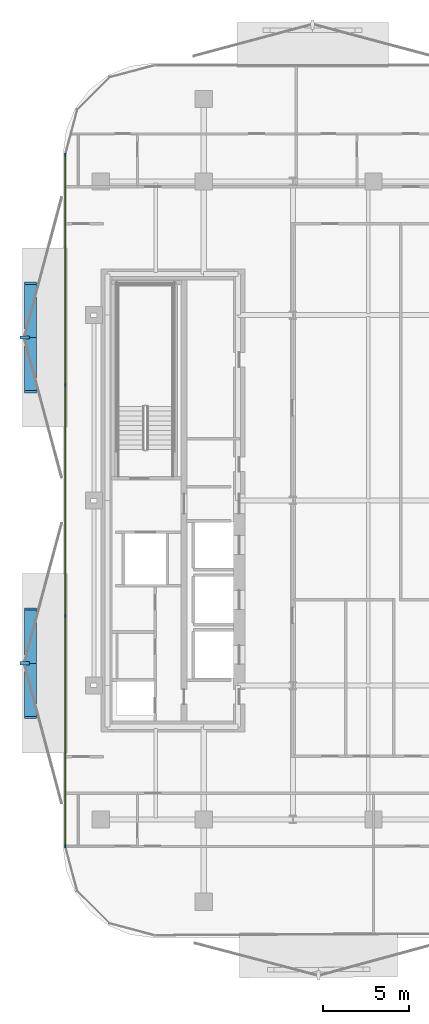
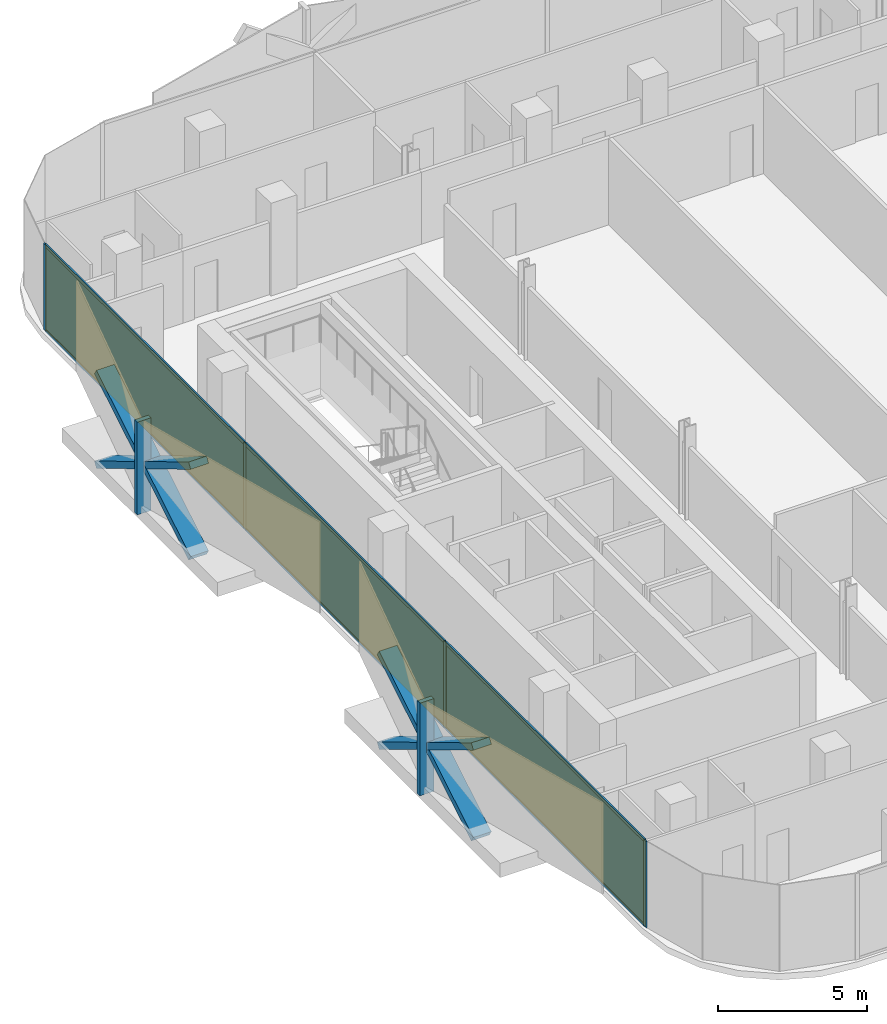
# One storey, part 9 of 16: 16 members, 3 plates, 1 curtain wall.
"""IFC4 building model written with IfcOpenShell, lengths in metres."""

from ifc_helpers import new_model, si_unit, direction, frame, frame_2d, origin, origin_2d, place, context, subcontext, project, spatial, rectangle, extrude, material, layer, layer_set, material_profile, profile_set, type_object, element, aggregate, save


model = new_model("IFC4")

# Units and contexts
model_context = context("Model", 3, precision=1e-05, world=origin(), true_north=direction((0.0, 1.0)))
body_context = subcontext(model_context, "Body", "Model", "MODEL_VIEW")
ifc_project = project(units=[si_unit("LENGTHUNIT", "METRE"), si_unit("AREAUNIT", "SQUARE_METRE"), si_unit("VOLUMEUNIT", "CUBIC_METRE"), si_unit("PLANEANGLEUNIT", "RADIAN"), si_unit("MASSUNIT", "GRAM", prefix="KILO")], contexts=[model_context])

# Member
ifc_material_1 = material(Name="Anodised Bronze Aluminium 6063-T6", Category="aluminium")
ifc_material_profile_1 = material_profile(ifc_material_1, rectangle(XDim=0.260009765625, YDim=0.699951171875, at=origin_2d()))
ifc_profile_set_1 = profile_set([ifc_material_profile_1], Name="Anodised Bronze Aluminium 6063-T6")
member_type_1 = type_object("IfcMemberType", Name="Bronze Diamond Solar-Screen Lattice Rib BDL-700", PredefinedType="MULLION", material=ifc_profile_set_1)
site_placement = place(None, origin())
building_placement = place(site_placement, origin())
storey_placement = place(building_placement, frame((0.0, 0.0, 187.800048828125)))
member_1_placement = place(storey_placement, frame((-24.5, -12.660400390625, -0.130126953125), z_axis=(0.0, 0.85737327611, 0.514695118893), x_axis=(0.0, -0.514695118893, 0.85737327611)))
member_1 = element("IfcMember", 1, at=member_1_placement, type_object=member_type_1, Name="L43 Bronze Diamond Solar Screen Lattice Rib 283A", PredefinedType="MULLION", context=body_context, shape_type="SweptSolid", body=[
    extrude(rectangle(XDim=0.260009765625, YDim=0.699951171875, at=origin_2d()), origin(), (0.0, 0.0, 1.0), 7.383056640625),
])

member_2_placement = place(storey_placement, frame((-24.5, -6.330322265625, -0.130126953125), z_axis=(0.0, -0.85737327611, 0.514695118893), x_axis=(0.0, 0.514695118893, 0.85737327611)))
member_2 = element("IfcMember", 2, at=member_2_placement, type_object=member_type_1, Name="L43 Bronze Diamond Solar Screen Lattice Rib 283B", PredefinedType="MULLION", context=body_context, shape_type="SweptSolid", body=[
    extrude(rectangle(XDim=0.260009765625, YDim=0.699951171875, at=origin_2d()), origin(), (0.0, 0.0, 1.0), 7.383056640625),
])

member_3_placement = place(storey_placement, frame((-24.5, 6.330322265625, -0.130126953125), z_axis=(0.0, 0.85737327611, 0.514695118893), x_axis=(0.0, -0.514695118893, 0.85737327611)))
member_3 = element("IfcMember", 3, at=member_3_placement, type_object=member_type_1, Name="L43 Bronze Diamond Solar Screen Lattice Rib 284A", PredefinedType="MULLION", context=body_context, shape_type="SweptSolid", body=[
    extrude(rectangle(XDim=0.260009765625, YDim=0.699951171875, at=origin_2d()), origin(), (0.0, 0.0, 1.0), 7.383056640625),
])

member_4_placement = place(storey_placement, frame((-24.5, 12.660400390625, -0.130126953125), z_axis=(0.0, -0.85737327611, 0.514695118893), x_axis=(0.0, 0.514695118893, 0.85737327611)))
member_4 = element("IfcMember", 4, at=member_4_placement, type_object=member_type_1, Name="L43 Bronze Diamond Solar Screen Lattice Rib 284B", PredefinedType="MULLION", context=body_context, shape_type="SweptSolid", body=[
    extrude(rectangle(XDim=0.260009765625, YDim=0.699951171875, at=origin_2d()), origin(), (0.0, 0.0, 1.0), 7.383056640625),
])

ifc_material_2 = material(Name="Anodised Bronze Aluminium 6063-T6", Category="aluminium")
ifc_material_profile_2 = material_profile(ifc_material_2, rectangle(XDim=0.179931640625, YDim=0.5400390625, at=origin_2d()))
ifc_profile_set_2 = profile_set([ifc_material_profile_2], Name="Anodised Bronze Aluminium 6063-T6")
member_type_2 = type_object("IfcMemberType", Name="Bronze Solar-Screen Vertical Fold Fin BSF-540", PredefinedType="MULLION", material=ifc_profile_set_2)
member_5_placement = place(storey_placement, frame((-24.840087890625, -9.495361328125, -0.130126953125), z_axis=(0.0, 0.0, 1.0), x_axis=(0.0, 1.0, 0.0)))
member_5 = element("IfcMember", 5, at=member_5_placement, type_object=member_type_2, Name="L43 Bronze Solar Screen Vertical Fin 283", PredefinedType="MULLION", context=body_context, shape_type="SweptSolid", body=[
    extrude(rectangle(XDim=0.179931640625, YDim=0.5400390625, at=origin_2d()), origin(), (0.0, 0.0, 1.0), 3.800048828125),
])

member_6_placement = place(storey_placement, frame((-24.840087890625, 9.495361328125, -0.130126953125), z_axis=(0.0, 0.0, 1.0), x_axis=(0.0, 1.0, 0.0)))
member_6 = element("IfcMember", 6, at=member_6_placement, type_object=member_type_2, Name="L43 Bronze Solar Screen Vertical Fin 284", PredefinedType="MULLION", context=body_context, shape_type="SweptSolid", body=[
    extrude(rectangle(XDim=0.179931640625, YDim=0.5400390625, at=origin_2d()), origin(), (0.0, 0.0, 1.0), 3.800048828125),
])

ifc_material_3 = material(Name="Anodised Bronze Aluminium 6063-T6", Category="aluminium")
ifc_material_profile_3 = material_profile(ifc_material_3, rectangle(XDim=0.06005859375, YDim=0.1650390625, at=origin_2d()))
ifc_profile_set_3 = profile_set([ifc_material_profile_3], Name="Anodised Bronze Aluminium 6063-T6")
member_type_3 = type_object("IfcMemberType", Name="CW-Z3 Mullion 60x165", PredefinedType="MULLION", material=ifc_profile_set_3)
member_7_placement = place(storey_placement, frame((-22.4599609375, -20.160888671875, 0.0), z_axis=(0.0, 0.0, 1.0), x_axis=(-1.0, 0.0, 0.0)))
member_7 = element("IfcMember", 7, at=member_7_placement, type_object=member_type_3, Name="CW-Z3 mullion 1", PredefinedType="MULLION", context=body_context, shape_type="SweptSolid", body=[
    extrude(rectangle(XDim=0.06005859375, YDim=0.1650390625, at=origin_2d()), origin(), (0.0, 0.0, 1.0), 3.5400390625),
])

member_8_placement = place(storey_placement, frame((-22.4599609375, -6.730224609375, 0.0), z_axis=(0.0, 0.0, 1.0), x_axis=(-1.0, 0.0, 0.0)))
member_8 = element("IfcMember", 8, at=member_8_placement, type_object=member_type_3, Name="CW-Z3 mullion 2", PredefinedType="MULLION", context=body_context, shape_type="SweptSolid", body=[
    extrude(rectangle(XDim=0.06005859375, YDim=0.1650390625, at=origin_2d()), origin(), (0.0, 0.0, 1.0), 3.5400390625),
])

member_9_placement = place(storey_placement, frame((-22.4599609375, 6.730224609375, 0.0), z_axis=(0.0, 0.0, 1.0), x_axis=(-1.0, 0.0, 0.0)))
member_9 = element("IfcMember", 9, at=member_9_placement, type_object=member_type_3, Name="CW-Z3 mullion 3", PredefinedType="MULLION", context=body_context, shape_type="SweptSolid", body=[
    extrude(rectangle(XDim=0.06005859375, YDim=0.1650390625, at=origin_2d()), origin(), (0.0, 0.0, 1.0), 3.5400390625),
])

member_10_placement = place(storey_placement, frame((-22.4599609375, 20.160888671875, 0.0), z_axis=(0.0, 0.0, 1.0), x_axis=(-1.0, 0.0, 0.0)))
member_10 = element("IfcMember", 10, at=member_10_placement, type_object=member_type_3, Name="CW-Z3 mullion 4", PredefinedType="MULLION", context=body_context, shape_type="SweptSolid", body=[
    extrude(rectangle(XDim=0.06005859375, YDim=0.1650390625, at=origin_2d()), origin(), (0.0, 0.0, 1.0), 3.5400390625),
])

ifc_material_4 = material(Name="Anodised Bronze Aluminium 6063-T6", Category="aluminium")
ifc_material_profile_4 = material_profile(ifc_material_4, rectangle(XDim=0.06005859375, YDim=0.1298828125, at=origin_2d()))
ifc_profile_set_4 = profile_set([ifc_material_profile_4], Name="Anodised Bronze Aluminium 6063-T6")
member_type_4 = type_object("IfcMemberType", Name="CW-Z3 Transom 60x130", PredefinedType="USERDEFINED", material=ifc_profile_set_4)
member_11_placement = place(storey_placement, frame((-22.4599609375, -20.130859375, 0.030029296875), z_axis=(0.0, 1.0, 0.0), x_axis=(-1.0, 0.0, 0.0)))
member_11 = element("IfcMember", 11, at=member_11_placement, type_object=member_type_4, Name="CW-Z3 transom 1.1", ObjectType="TRANSOM", PredefinedType="USERDEFINED", context=body_context, shape_type="SweptSolid", body=[
    extrude(rectangle(XDim=0.06005859375, YDim=0.1298828125, at=origin_2d()), origin(), (0.0, 0.0, 1.0), 13.37060546875),
])

member_12_placement = place(storey_placement, frame((-22.4599609375, -20.130859375, 3.510009765625), z_axis=(0.0, 1.0, 0.0), x_axis=(-1.0, 0.0, 0.0)))
member_12 = element("IfcMember", 12, at=member_12_placement, type_object=member_type_4, Name="CW-Z3 transom 1.2", ObjectType="TRANSOM", PredefinedType="USERDEFINED", context=body_context, shape_type="SweptSolid", body=[
    extrude(rectangle(XDim=0.06005859375, YDim=0.1298828125, at=origin_2d()), origin(), (0.0, 0.0, 1.0), 13.37060546875),
])

member_13_placement = place(storey_placement, frame((-22.4599609375, -6.7001953125, 0.030029296875), z_axis=(0.0, 1.0, 0.0), x_axis=(-1.0, 0.0, 0.0)))
member_13 = element("IfcMember", 13, at=member_13_placement, type_object=member_type_4, Name="CW-Z3 transom 2.1", ObjectType="TRANSOM", PredefinedType="USERDEFINED", context=body_context, shape_type="SweptSolid", body=[
    extrude(rectangle(XDim=0.06005859375, YDim=0.1298828125, at=origin_2d()), origin(), (0.0, 0.0, 1.0), 13.400390625),
])

member_14_placement = place(storey_placement, frame((-22.4599609375, -6.7001953125, 3.510009765625), z_axis=(0.0, 1.0, 0.0), x_axis=(-1.0, 0.0, 0.0)))
member_14 = element("IfcMember", 14, at=member_14_placement, type_object=member_type_4, Name="CW-Z3 transom 2.2", ObjectType="TRANSOM", PredefinedType="USERDEFINED", context=body_context, shape_type="SweptSolid", body=[
    extrude(rectangle(XDim=0.06005859375, YDim=0.1298828125, at=origin_2d()), origin(), (0.0, 0.0, 1.0), 13.400390625),
])

member_15_placement = place(storey_placement, frame((-22.4599609375, 6.76025390625, 0.030029296875), z_axis=(0.0, 1.0, 0.0), x_axis=(-1.0, 0.0, 0.0)))
member_15 = element("IfcMember", 15, at=member_15_placement, type_object=member_type_4, Name="CW-Z3 transom 3.1", ObjectType="TRANSOM", PredefinedType="USERDEFINED", context=body_context, shape_type="SweptSolid", body=[
    extrude(rectangle(XDim=0.06005859375, YDim=0.1298828125, at=origin_2d()), origin(), (0.0, 0.0, 1.0), 13.37060546875),
])

member_16_placement = place(storey_placement, frame((-22.4599609375, 6.76025390625, 3.510009765625), z_axis=(0.0, 1.0, 0.0), x_axis=(-1.0, 0.0, 0.0)))
member_16 = element("IfcMember", 16, at=member_16_placement, type_object=member_type_4, Name="CW-Z3 transom 3.2", ObjectType="TRANSOM", PredefinedType="USERDEFINED", context=body_context, shape_type="SweptSolid", body=[
    extrude(rectangle(XDim=0.06005859375, YDim=0.1298828125, at=origin_2d()), origin(), (0.0, 0.0, 1.0), 13.37060546875),
])

# Plate
ifc_material_5 = material(Name="Low-E Solar Control Laminated Glass", Category="glass")
ifc_layer_1 = layer(ifc_material_5, 0.030029296875, Name="Low-E Solar Control Laminated Glass")
ifc_layer_set_1 = layer_set([ifc_layer_1], Name="Low-E Solar Control Laminated Glass")
plate_type = type_object("IfcPlateType", Name="CW-Z3 Low-E Double Glazed Panel 30mm", PredefinedType="CURTAIN_PANEL", material=ifc_layer_set_1)
plate_1_placement = place(storey_placement, frame((-22.4599609375, -13.445556640625, 0.06005859375), z_axis=(0.0, 0.0, 1.0), x_axis=(0.0, 1.0, 0.0)))
plate_1 = element("IfcPlate", 17, at=plate_1_placement, type_object=plate_type, Name="CW-Z3 panel 1.1", PredefinedType="CURTAIN_PANEL", context=body_context, shape_type="SweptSolid", body=[
    extrude(rectangle(XDim=13.37060546875, YDim=0.030029296875, at=origin_2d()), origin(), (0.0, 0.0, 1.0), 3.419921875),
])

plate_2_placement = place(storey_placement, frame((-22.4599609375, 0.0, 0.06005859375), z_axis=(0.0, 0.0, 1.0), x_axis=(0.0, 1.0, 0.0)))
plate_2 = element("IfcPlate", 18, at=plate_2_placement, type_object=plate_type, Name="CW-Z3 panel 2.1", PredefinedType="CURTAIN_PANEL", context=body_context, shape_type="SweptSolid", body=[
    extrude(rectangle(XDim=13.400634765625, YDim=0.030029296875, at=origin_2d()), origin(), (0.0, 0.0, 1.0), 3.419921875),
])

plate_3_placement = place(storey_placement, frame((-22.4599609375, 13.445556640625, 0.06005859375), z_axis=(0.0, 0.0, 1.0), x_axis=(0.0, 1.0, 0.0)))
plate_3 = element("IfcPlate", 19, at=plate_3_placement, type_object=plate_type, Name="CW-Z3 panel 3.1", PredefinedType="CURTAIN_PANEL", context=body_context, shape_type="SweptSolid", body=[
    extrude(rectangle(XDim=13.37060546875, YDim=0.030029296875, at=origin_2d()), origin(), (0.0, 0.0, 1.0), 3.419921875),
])

# Site, building, storey
site = spatial("IfcSite", under=ifc_project, at=site_placement, CompositionType="ELEMENT")
building = spatial("IfcBuilding", under=site, at=building_placement, Name="Khairoan Windgate Tower", CompositionType="ELEMENT")
storey = spatial("IfcBuildingStorey", under=building, at=storey_placement, Name="L43", CompositionType="ELEMENT", Elevation=187.800048828125)

# Curtain wall
ifc_material_6 = material(Name="Anodised Bronze Aluminium 6063-T6", Category="aluminium")
ifc_layer_2 = layer(ifc_material_6, 0.1650390625, Name="Anodised Bronze Aluminium 6063-T6")
ifc_layer_set_2 = layer_set([ifc_layer_2], Name="Anodised Bronze Aluminium 6063-T6")
curtain_wall_type = type_object("IfcCurtainWallType", Name="Luxury Hotel Acoustic Curtain Wall CW-Z3", PredefinedType="NOTDEFINED", material=ifc_layer_set_2)
curtain_wall_placement = place(storey_placement, frame((-22.4599609375, -20.19091796875, 0.0), z_axis=(0.0, 0.0, 1.0), x_axis=(0.0, 1.0, 0.0)))
curtain_wall = element("IfcCurtainWall", 20, at=curtain_wall_placement, inside=storey, type_object=curtain_wall_type, Name="L43 Unitised Curtain Wall 5", PredefinedType="NOTDEFINED", context=body_context, shape_type="SweptSolid", body=[
    extrude(rectangle(XDim=40.3818359375, YDim=0.010009765625, at=frame_2d((20.19091796875, 0.0))), origin(), (0.0, 0.0, 1.0), 3.5400390625),
])

aggregate(curtain_wall, [member_7, member_8, member_9, member_10, member_11, member_12, plate_1, member_13, member_14, plate_2, member_15, member_16, plate_3, member_1, member_2, member_5, member_3, member_4, member_6])

save(model, "model.ifc")
